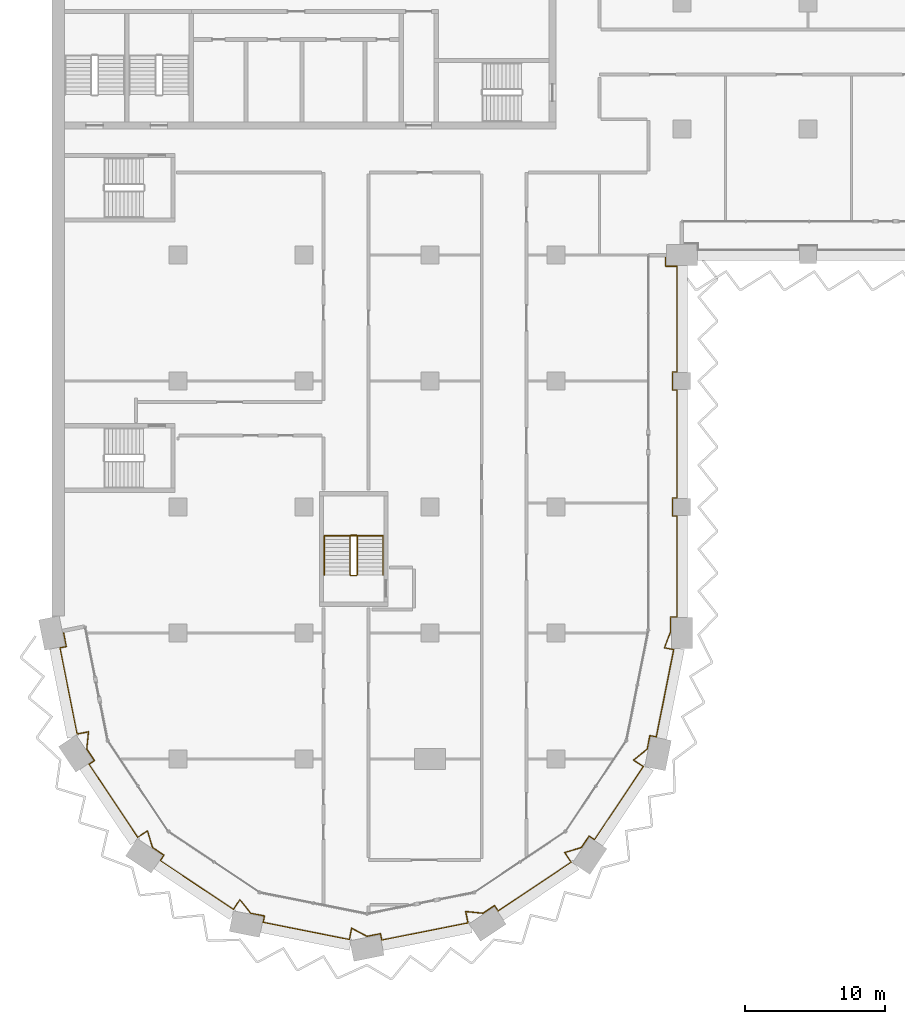
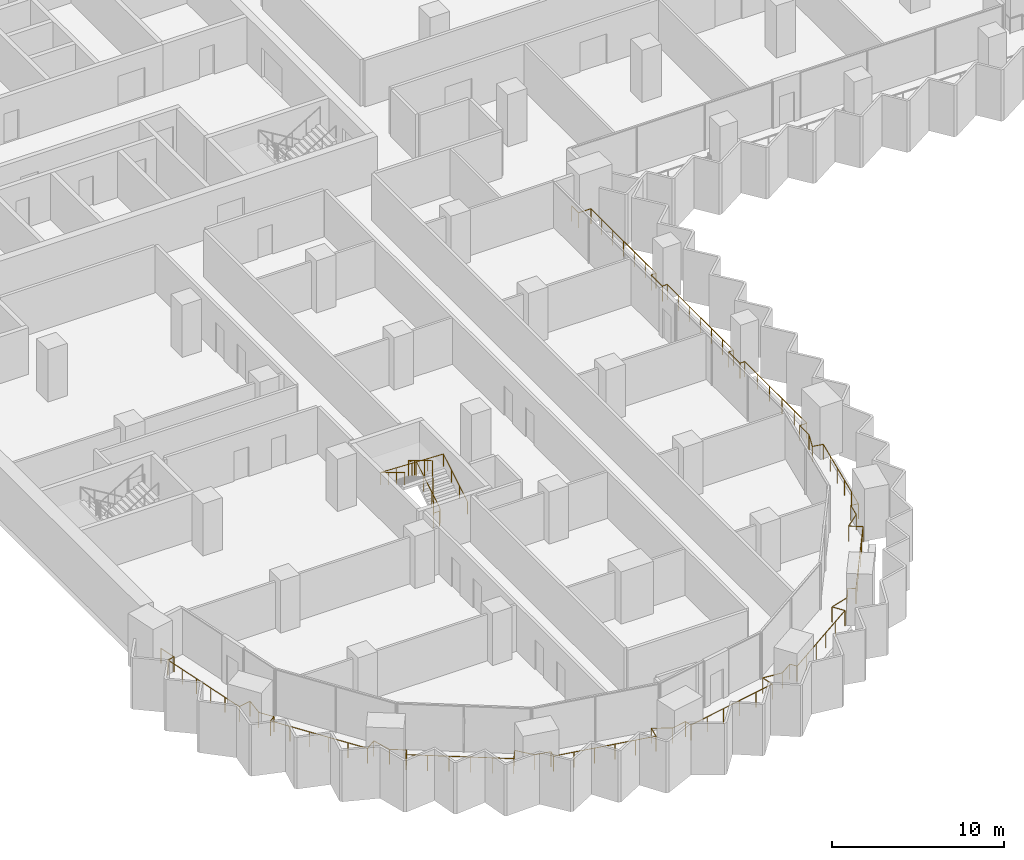
# One storey, part 19 of 22: 3 railings.
"""IFC4 building model written with IfcOpenShell, lengths in metres."""

from ifc_helpers import new_model, si_unit, direction, frame, origin, origin_2d, place, context, subcontext, project, spatial, circle, extrude, material, type_object, element, save


model = new_model("IFC4")

# Units and contexts
model_context = context("Model", 3, precision=1e-05, world=origin(), true_north=direction((0.0, 1.0)))
body_context = subcontext(model_context, "Body", "Model", "MODEL_VIEW")
ifc_project = project(units=[si_unit("LENGTHUNIT", "METRE"), si_unit("AREAUNIT", "SQUARE_METRE"), si_unit("VOLUMEUNIT", "CUBIC_METRE"), si_unit("PLANEANGLEUNIT", "RADIAN"), si_unit("MASSUNIT", "GRAM", prefix="KILO")], contexts=[model_context])

# Site, building, storey
site_placement = place(None, origin())
site = spatial("IfcSite", under=ifc_project, at=site_placement, CompositionType="ELEMENT")
building_placement = place(site_placement, origin())
building = spatial("IfcBuilding", under=site, at=building_placement, Name="Hunhe Ridgeline Campus", CompositionType="ELEMENT")
storey_placement = place(building_placement, frame((0.0, 0.0, 92.199951171875)))
storey = spatial("IfcBuildingStorey", under=building, at=storey_placement, Name="L22", CompositionType="ELEMENT", Elevation=92.199951171875)

# Railings
ifc_material_1 = material(Name="Steel Q355", Category="steel")
railing_type_1 = type_object("IfcRailingType", Name="Loggia guard 1100 Steel Q355", PredefinedType="GUARDRAIL", material=ifc_material_1)
railing_1_placement = place(storey_placement, frame((0.80419921875, 27.159912109375, 0.0)))
element("IfcRailing", 1, at=railing_1_placement, inside=storey, type_object=railing_type_1, Name="Loggia guard 1", PredefinedType="GUARDRAIL", context=body_context, shape_type="SweptSolid", body=[
    extrude(circle(Radius=0.02392578125, at=origin_2d()), frame((0.0, 0.0, 1.076171875), z_axis=(0.195095399255, -0.980784270464, 0.0), x_axis=(0.980784270464, 0.195095399255, 0.0)), (0.0, 0.0, 1.0), 1.150146484375),
    extrude(circle(Radius=0.02392578125, at=origin_2d()), frame((0.224365234375, -1.1279296875, 1.076171875), z_axis=(-0.980839571814, -0.194817181902, 0.0), x_axis=(0.194817181902, -0.980839571814, 0.0)), (0.0, 0.0, 1.0), 0.469970703125),
    extrude(circle(Radius=0.02392578125, at=origin_2d()), frame((-0.236572265625, -1.219482421875, 1.076171875), z_axis=(0.195091122585, -0.98078512116, 0.0), x_axis=(0.98078512116, 0.195091122585, 0.0)), (0.0, 0.0, 1.0), 6.27587890625),
    extrude(circle(Radius=0.02392578125, at=origin_2d()), frame((0.98779296875, -7.374755859375, 1.076171875), z_axis=(0.980805242724, 0.194989937807, 0.0), x_axis=(-0.194989937807, 0.980805242724, 0.0)), (0.0, 0.0, 1.0), 0.833984375),
    extrude(circle(Radius=0.02392578125, at=origin_2d()), frame((1.8056640625, -7.212158203125, 1.076171875), z_axis=(-0.10024174874, -0.994963110778, 0.0), x_axis=(0.994963110778, -0.10024174874, 0.0)), (0.0, 0.0, 1.0), 1.24462890625),
    extrude(circle(Radius=0.02392578125, at=origin_2d()), frame((1.680908203125, -8.450439453125, 1.076171875), z_axis=(0.555613261421, -0.831440860034, 0.0), x_axis=(0.831440860034, 0.555613261421, 0.0)), (0.0, 0.0, 1.0), 0.98681640625),
    extrude(circle(Radius=0.02392578125, at=origin_2d()), frame((2.229248046875, -9.27099609375, 1.076171875), z_axis=(-0.831650496226, -0.55529942565, 0.0), x_axis=(0.55529942565, -0.831650496226, 0.0)), (0.0, 0.0, 1.0), 0.469970703125),
    extrude(circle(Radius=0.02392578125, at=origin_2d()), frame((1.83837890625, -9.531982421875, 1.076171875), z_axis=(0.55555274607, -0.831481296443, 0.0), x_axis=(0.831481296443, 0.55555274607, 0.0)), (0.0, 0.0, 1.0), 6.27587890625),
    extrude(circle(Radius=0.02392578125, at=origin_2d()), frame((5.324951171875, -14.750244140625, 1.076171875), z_axis=(0.831419211319, 0.555645656016, 0.0), x_axis=(-0.555645656016, 0.831419211319, 0.0)), (0.0, 0.0, 1.0), 0.833984375),
    extrude(circle(Radius=0.02392578125, at=origin_2d()), frame((6.018310546875, -14.286865234375, 1.076171875), z_axis=(0.288373576958, -0.957517979002, 0.0), x_axis=(0.957517979002, 0.288373576958, 0.0)), (0.0, 0.0, 1.0), 1.24462890625),
    extrude(circle(Radius=0.02392578125, at=origin_2d()), frame((6.377197265625, -15.478515625, 1.076171875), z_axis=(0.831440860034, -0.555613261421, 0.0), x_axis=(0.555613261421, 0.831440860034, 0.0)), (0.0, 0.0, 1.0), 0.98681640625),
    extrude(circle(Radius=0.02392578125, at=origin_2d()), frame((7.19775390625, -16.02685546875, 1.076171875), z_axis=(-0.555658548717, -0.831410594856, 0.0), x_axis=(0.831410594856, -0.555658548717, 0.0)), (0.0, 0.0, 1.0), 0.47021484375),
    extrude(circle(Radius=0.02392578125, at=origin_2d()), frame((6.9365234375, -16.417724609375, 1.076171875), z_axis=(0.831469289337, -0.555570716372, 0.0), x_axis=(0.555570716372, 0.831469289337, 0.0)), (0.0, 0.0, 1.0), 6.275634765625),
    extrude(circle(Radius=0.02392578125, at=origin_2d()), frame((12.154541015625, -19.904296875, 1.076171875), z_axis=(0.555645656016, 0.831419211319, 0.0), x_axis=(-0.831419211319, 0.555645656016, 0.0)), (0.0, 0.0, 1.0), 0.833984375),
    extrude(circle(Radius=0.02392578125, at=origin_2d()), frame((12.617919921875, -19.2109375, 1.076171875), z_axis=(0.632628709191, -0.774455238414, 0.0), x_axis=(0.774455238414, 0.632628709191, 0.0)), (0.0, 0.0, 1.0), 1.24462890625),
    extrude(circle(Radius=0.02392578125, at=origin_2d()), frame((13.4052734375, -20.1748046875, 1.076171875), z_axis=(0.980770488785, -0.195164669773, 0.0), x_axis=(0.195164669773, 0.980770488785, 0.0)), (0.0, 0.0, 1.0), 0.987060546875),
    extrude(circle(Radius=0.02392578125, at=origin_2d()), frame((14.373291015625, -20.367431640625, 1.076171875), z_axis=(-0.195316901017, -0.980740183829, 0.0), x_axis=(0.980740183829, -0.195316901017, 0.0)), (0.0, 0.0, 1.0), 0.469970703125),
    extrude(circle(Radius=0.02392578125, at=origin_2d()), frame((14.281494140625, -20.828369140625, 1.076171875), z_axis=(0.98078512116, -0.195091122585, 0.0), x_axis=(0.195091122585, 0.98078512116, 0.0)), (0.0, 0.0, 1.0), 6.27587890625),
    extrude(circle(Radius=0.02392578125, at=origin_2d()), frame((20.436767578125, -22.052734375, 1.076171875), z_axis=(0.194989937807, 0.980805242724, 0.0), x_axis=(-0.980805242724, 0.194989937807, 0.0)), (0.0, 0.0, 1.0), 0.833984375),
    extrude(circle(Radius=0.02392578125, at=origin_2d()), frame((20.599365234375, -21.23486328125, 1.076171875), z_axis=(0.880980801229, -0.473152013486, 0.0), x_axis=(0.473152013486, 0.880980801229, 0.0)), (0.0, 0.0, 1.0), 1.24462890625),
    extrude(circle(Radius=0.02392578125, at=origin_2d()), frame((21.69580078125, -21.82373046875, 1.076171875), z_axis=(0.98081780924, 0.194926717196, 0.0), x_axis=(-0.194926717196, 0.98081780924, 0.0)), (0.0, 0.0, 1.0), 0.987060546875),
    extrude(circle(Radius=0.02392578125, at=origin_2d()), frame((22.663818359375, -21.63134765625, 1.076171875), z_axis=(0.194817181902, -0.980839571814, 0.0), x_axis=(0.980839571814, 0.194817181902, 0.0)), (0.0, 0.0, 1.0), 0.469970703125),
    extrude(circle(Radius=0.02392578125, at=origin_2d()), frame((22.75537109375, -22.09228515625, 1.076171875), z_axis=(0.98078512116, 0.195091122585, 0.0), x_axis=(-0.195091122585, 0.98078512116, 0.0)), (0.0, 0.0, 1.0), 6.27587890625),
    extrude(circle(Radius=0.02392578125, at=origin_2d()), frame((28.91064453125, -20.867919921875, 1.076171875), z_axis=(-0.194989937807, 0.980805242724, 0.0), x_axis=(-0.980805242724, -0.194989937807, 0.0)), (0.0, 0.0, 1.0), 0.833984375),
    extrude(circle(Radius=0.02392578125, at=origin_2d()), frame((28.748046875, -20.050048828125, 1.076171875), z_axis=(0.994963110778, -0.10024174874, 0.0), x_axis=(0.10024174874, 0.994963110778, 0.0)), (0.0, 0.0, 1.0), 1.24462890625),
    extrude(circle(Radius=0.02392578125, at=origin_2d()), frame((29.986328125, -20.1748046875, 1.076171875), z_axis=(0.831440860034, 0.555613261421, 0.0), x_axis=(-0.555613261421, 0.831440860034, 0.0)), (0.0, 0.0, 1.0), 0.98681640625),
    extrude(circle(Radius=0.02392578125, at=origin_2d()), frame((30.806884765625, -19.62646484375, 1.076171875), z_axis=(0.55529942565, -0.831650496226, 0.0), x_axis=(0.831650496226, 0.55529942565, 0.0)), (0.0, 0.0, 1.0), 0.469970703125),
    extrude(circle(Radius=0.02392578125, at=origin_2d()), frame((31.06787109375, -20.017333984375, 1.076171875), z_axis=(0.831481296443, 0.55555274607, 0.0), x_axis=(-0.55555274607, 0.831481296443, 0.0)), (0.0, 0.0, 1.0), 6.27587890625),
    extrude(circle(Radius=0.02392578125, at=origin_2d()), frame((36.2861328125, -16.53076171875, 1.076171875), z_axis=(-0.555645656016, 0.831419211319, 0.0), x_axis=(-0.831419211319, -0.555645656016, 0.0)), (0.0, 0.0, 1.0), 0.833984375),
    extrude(circle(Radius=0.02392578125, at=origin_2d()), frame((35.82275390625, -15.83740234375, 1.076171875), z_axis=(0.957517979002, 0.288373576958, 0.0), x_axis=(-0.288373576958, 0.957517979002, 0.0)), (0.0, 0.0, 1.0), 1.24462890625),
    extrude(circle(Radius=0.02392578125, at=origin_2d()), frame((37.014404296875, -15.478515625, 1.076171875), z_axis=(0.555613261421, 0.831440860034, 0.0), x_axis=(-0.831440860034, 0.555613261421, 0.0)), (0.0, 0.0, 1.0), 0.98681640625),
    extrude(circle(Radius=0.02392578125, at=origin_2d()), frame((37.562744140625, -14.657958984375, 1.076171875), z_axis=(0.831410594856, -0.555658548717, 0.0), x_axis=(0.555658548717, 0.831410594856, 0.0)), (0.0, 0.0, 1.0), 0.47021484375),
    extrude(circle(Radius=0.02392578125, at=origin_2d()), frame((37.95361328125, -14.919189453125, 1.076171875), z_axis=(0.555570716372, 0.831469289337, 0.0), x_axis=(-0.831469289337, 0.555570716372, 0.0)), (0.0, 0.0, 1.0), 6.275634765625),
    extrude(circle(Radius=0.02392578125, at=origin_2d()), frame((41.440185546875, -9.701171875, 1.076171875), z_axis=(-0.831419211319, 0.555645656016, 0.0), x_axis=(-0.555645656016, -0.831419211319, 0.0)), (0.0, 0.0, 1.0), 0.833984375),
    extrude(circle(Radius=0.02392578125, at=origin_2d()), frame((40.746826171875, -9.23779296875, 1.076171875), z_axis=(0.774455238414, 0.632628709191, 0.0), x_axis=(-0.632628709191, 0.774455238414, 0.0)), (0.0, 0.0, 1.0), 1.24462890625),
    extrude(circle(Radius=0.02392578125, at=origin_2d()), frame((41.710693359375, -8.450439453125, 1.076171875), z_axis=(0.195164669773, 0.980770488785, 0.0), x_axis=(-0.980770488785, 0.195164669773, 0.0)), (0.0, 0.0, 1.0), 0.987060546875),
    extrude(circle(Radius=0.02392578125, at=origin_2d()), frame((41.9033203125, -7.482421875, 1.076171875), z_axis=(0.980740183829, -0.195316901017, 0.0), x_axis=(0.195316901017, 0.980740183829, 0.0)), (0.0, 0.0, 1.0), 0.469970703125),
    extrude(circle(Radius=0.02392578125, at=origin_2d()), frame((42.3642578125, -7.57421875, 1.076171875), z_axis=(0.195074166836, 0.98078849373, 0.0), x_axis=(-0.98078849373, 0.195074166836, 0.0)), (0.0, 0.0, 1.0), 6.35400390625),
    extrude(circle(Radius=0.02392578125, at=origin_2d()), frame((43.603759765625, -1.34228515625, 1.076171875), z_axis=(-0.980818178173, 0.194924860818, 0.0), x_axis=(-0.194924860818, -0.980818178173, 0.0)), (0.0, 0.0, 1.0), 0.670166015625),
    extrude(circle(Radius=0.02392578125, at=origin_2d()), frame((42.946533203125, -1.211669921875, 1.076171875), z_axis=(0.354368618256, 0.935105813475, 0.0), x_axis=(-0.935105813475, 0.354368618256, 0.0)), (0.0, 0.0, 1.0), 1.211181640625),
    extrude(circle(Radius=0.02392578125, at=origin_2d()), frame((43.375732421875, -0.0791015625, 1.076171875), z_axis=(0.0, 1.0, 0.0), x_axis=(-1.0, 0.0, 0.0)), (0.0, 0.0, 1.0), 1.069091796875),
    extrude(circle(Radius=0.02392578125, at=origin_2d()), frame((43.375732421875, 0.989990234375, 1.076171875), z_axis=(1.0, 0.0, 0.0), x_axis=(0.0, 1.0, 0.0)), (0.0, 0.0, 1.0), 0.469970703125),
    extrude(circle(Radius=0.02392578125, at=origin_2d()), frame((43.845703125, 0.989990234375, 1.076171875), z_axis=(0.0, 1.0, 0.0), x_axis=(-1.0, 0.0, 0.0)), (0.0, 0.0, 1.0), 7.2001953125),
    extrude(circle(Radius=0.02392578125, at=origin_2d()), frame((43.845703125, 8.190185546875, 1.076171875), z_axis=(-1.0, 0.0, 0.0), x_axis=(0.0, -1.0, 0.0)), (0.0, 0.0, 1.0), 0.31982421875),
    extrude(circle(Radius=0.02392578125, at=origin_2d()), frame((43.52587890625, 8.190185546875, 1.076171875), z_axis=(0.0, 1.0, 0.0), x_axis=(-1.0, 0.0, 0.0)), (0.0, 0.0, 1.0), 1.2998046875),
    extrude(circle(Radius=0.02392578125, at=origin_2d()), frame((43.52587890625, 9.489990234375, 1.076171875), z_axis=(1.0, 0.0, 0.0), x_axis=(0.0, 1.0, 0.0)), (0.0, 0.0, 1.0), 0.31982421875),
    extrude(circle(Radius=0.02392578125, at=origin_2d()), frame((43.845703125, 9.489990234375, 1.076171875), z_axis=(0.0, 1.0, 0.0), x_axis=(-1.0, 0.0, 0.0)), (0.0, 0.0, 1.0), 7.7001953125),
    extrude(circle(Radius=0.02392578125, at=origin_2d()), frame((43.845703125, 17.190185546875, 1.076171875), z_axis=(-1.0, 0.0, 0.0), x_axis=(0.0, -1.0, 0.0)), (0.0, 0.0, 1.0), 0.31982421875),
    extrude(circle(Radius=0.02392578125, at=origin_2d()), frame((43.52587890625, 17.190185546875, 1.076171875), z_axis=(0.0, 1.0, 0.0), x_axis=(-1.0, 0.0, 0.0)), (0.0, 0.0, 1.0), 1.2998046875),
    extrude(circle(Radius=0.02392578125, at=origin_2d()), frame((43.52587890625, 18.489990234375, 1.076171875), z_axis=(1.0, 0.0, 0.0), x_axis=(0.0, 1.0, 0.0)), (0.0, 0.0, 1.0), 0.31982421875),
    extrude(circle(Radius=0.02392578125, at=origin_2d()), frame((43.845703125, 18.489990234375, 1.076171875), z_axis=(0.0, 1.0, 0.0), x_axis=(-1.0, 0.0, 0.0)), (0.0, 0.0, 1.0), 7.550048828125),
    extrude(circle(Radius=0.02392578125, at=origin_2d()), frame((43.845703125, 26.0400390625, 1.076171875), z_axis=(-1.0, 0.0, 0.0), x_axis=(0.0, -1.0, 0.0)), (0.0, 0.0, 1.0), 0.81982421875),
    extrude(circle(Radius=0.02392578125, at=origin_2d()), frame((43.02587890625, 26.0400390625, 1.076171875), z_axis=(0.0, 1.0, 0.0), x_axis=(-1.0, 0.0, 0.0)), (0.0, 0.0, 1.0), 0.800048828125),
    extrude(circle(Radius=0.02099609375, at=origin_2d()), origin(), (0.0, 0.0, 1.0), 1.052001953125),
    extrude(circle(Radius=0.02099609375, at=origin_2d()), frame((0.224365234375, -1.1279296875, 0.0)), (0.0, 0.0, 1.0), 1.052001953125),
    extrude(circle(Radius=0.02099609375, at=origin_2d()), frame((-0.236572265625, -1.219482421875, 0.0)), (0.0, 0.0, 1.0), 1.052001953125),
    extrude(circle(Radius=0.02099609375, at=origin_2d()), frame((0.00830078125, -2.450439453125, 0.0)), (0.0, 0.0, 1.0), 1.052001953125),
    extrude(circle(Radius=0.02099609375, at=origin_2d()), frame((0.253173828125, -3.681640625, 0.0)), (0.0, 0.0, 1.0), 1.052001953125),
    extrude(circle(Radius=0.02099609375, at=origin_2d()), frame((0.498046875, -4.91259765625, 0.0)), (0.0, 0.0, 1.0), 1.052001953125),
    extrude(circle(Radius=0.02099609375, at=origin_2d()), frame((0.742919921875, -6.143798828125, 0.0)), (0.0, 0.0, 1.0), 1.052001953125),
    extrude(circle(Radius=0.02099609375, at=origin_2d()), frame((0.98779296875, -7.374755859375, 0.0)), (0.0, 0.0, 1.0), 1.052001953125),
    extrude(circle(Radius=0.02099609375, at=origin_2d()), frame((1.8056640625, -7.212158203125, 0.0)), (0.0, 0.0, 1.0), 1.052001953125),
    extrude(circle(Radius=0.02099609375, at=origin_2d()), frame((1.680908203125, -8.450439453125, 0.0)), (0.0, 0.0, 1.0), 1.052001953125),
    extrude(circle(Radius=0.02099609375, at=origin_2d()), frame((2.229248046875, -9.27099609375, 0.0)), (0.0, 0.0, 1.0), 1.052001953125),
    extrude(circle(Radius=0.02099609375, at=origin_2d()), frame((1.83837890625, -9.531982421875, 0.0)), (0.0, 0.0, 1.0), 1.052001953125),
    extrude(circle(Radius=0.02099609375, at=origin_2d()), frame((2.53564453125, -10.57568359375, 0.0)), (0.0, 0.0, 1.0), 1.052001953125),
    extrude(circle(Radius=0.02099609375, at=origin_2d()), frame((3.23291015625, -11.619384765625, 0.0)), (0.0, 0.0, 1.0), 1.052001953125),
    extrude(circle(Radius=0.02099609375, at=origin_2d()), frame((3.930419921875, -12.662841796875, 0.0)), (0.0, 0.0, 1.0), 1.052001953125),
    extrude(circle(Radius=0.02099609375, at=origin_2d()), frame((4.627685546875, -13.70654296875, 0.0)), (0.0, 0.0, 1.0), 1.052001953125),
    extrude(circle(Radius=0.02099609375, at=origin_2d()), frame((5.324951171875, -14.750244140625, 0.0)), (0.0, 0.0, 1.0), 1.052001953125),
    extrude(circle(Radius=0.02099609375, at=origin_2d()), frame((6.018310546875, -14.286865234375, 0.0)), (0.0, 0.0, 1.0), 1.052001953125),
    extrude(circle(Radius=0.02099609375, at=origin_2d()), frame((6.377197265625, -15.478515625, 0.0)), (0.0, 0.0, 1.0), 1.052001953125),
    extrude(circle(Radius=0.02099609375, at=origin_2d()), frame((7.19775390625, -16.02685546875, 0.0)), (0.0, 0.0, 1.0), 1.052001953125),
    extrude(circle(Radius=0.02099609375, at=origin_2d()), frame((6.9365234375, -16.417724609375, 0.0)), (0.0, 0.0, 1.0), 1.052001953125),
    extrude(circle(Radius=0.02099609375, at=origin_2d()), frame((7.980224609375, -17.114990234375, 0.0)), (0.0, 0.0, 1.0), 1.052001953125),
    extrude(circle(Radius=0.02099609375, at=origin_2d()), frame((9.023681640625, -17.812255859375, 0.0)), (0.0, 0.0, 1.0), 1.052001953125),
    extrude(circle(Radius=0.02099609375, at=origin_2d()), frame((10.0673828125, -18.509765625, 0.0)), (0.0, 0.0, 1.0), 1.052001953125),
    extrude(circle(Radius=0.02099609375, at=origin_2d()), frame((11.11083984375, -19.20703125, 0.0)), (0.0, 0.0, 1.0), 1.052001953125),
    extrude(circle(Radius=0.02099609375, at=origin_2d()), frame((12.154541015625, -19.904296875, 0.0)), (0.0, 0.0, 1.0), 1.052001953125),
    extrude(circle(Radius=0.02099609375, at=origin_2d()), frame((12.617919921875, -19.2109375, 0.0)), (0.0, 0.0, 1.0), 1.052001953125),
    extrude(circle(Radius=0.02099609375, at=origin_2d()), frame((13.4052734375, -20.1748046875, 0.0)), (0.0, 0.0, 1.0), 1.052001953125),
    extrude(circle(Radius=0.02099609375, at=origin_2d()), frame((14.373291015625, -20.367431640625, 0.0)), (0.0, 0.0, 1.0), 1.052001953125),
    extrude(circle(Radius=0.02099609375, at=origin_2d()), frame((14.281494140625, -20.828369140625, 0.0)), (0.0, 0.0, 1.0), 1.052001953125),
    extrude(circle(Radius=0.02099609375, at=origin_2d()), frame((15.512451171875, -21.0732421875, 0.0)), (0.0, 0.0, 1.0), 1.052001953125),
    extrude(circle(Radius=0.02099609375, at=origin_2d()), frame((16.74365234375, -21.318115234375, 0.0)), (0.0, 0.0, 1.0), 1.052001953125),
    extrude(circle(Radius=0.02099609375, at=origin_2d()), frame((17.974609375, -21.56298828125, 0.0)), (0.0, 0.0, 1.0), 1.052001953125),
    extrude(circle(Radius=0.02099609375, at=origin_2d()), frame((19.205810546875, -21.807861328125, 0.0)), (0.0, 0.0, 1.0), 1.052001953125),
    extrude(circle(Radius=0.02099609375, at=origin_2d()), frame((20.436767578125, -22.052734375, 0.0)), (0.0, 0.0, 1.0), 1.052001953125),
    extrude(circle(Radius=0.02099609375, at=origin_2d()), frame((20.599365234375, -21.23486328125, 0.0)), (0.0, 0.0, 1.0), 1.052001953125),
    extrude(circle(Radius=0.02099609375, at=origin_2d()), frame((21.69580078125, -21.82373046875, 0.0)), (0.0, 0.0, 1.0), 1.052001953125),
    extrude(circle(Radius=0.02099609375, at=origin_2d()), frame((22.663818359375, -21.63134765625, 0.0)), (0.0, 0.0, 1.0), 1.052001953125),
    extrude(circle(Radius=0.02099609375, at=origin_2d()), frame((22.75537109375, -22.09228515625, 0.0)), (0.0, 0.0, 1.0), 1.052001953125),
    extrude(circle(Radius=0.02099609375, at=origin_2d()), frame((23.986328125, -21.847412109375, 0.0)), (0.0, 0.0, 1.0), 1.052001953125),
    extrude(circle(Radius=0.02099609375, at=origin_2d()), frame((25.217529296875, -21.6025390625, 0.0)), (0.0, 0.0, 1.0), 1.052001953125),
    extrude(circle(Radius=0.02099609375, at=origin_2d()), frame((26.448486328125, -21.357666015625, 0.0)), (0.0, 0.0, 1.0), 1.052001953125),
    extrude(circle(Radius=0.02099609375, at=origin_2d()), frame((27.6796875, -21.11279296875, 0.0)), (0.0, 0.0, 1.0), 1.052001953125),
    extrude(circle(Radius=0.02099609375, at=origin_2d()), frame((28.91064453125, -20.867919921875, 0.0)), (0.0, 0.0, 1.0), 1.052001953125),
    extrude(circle(Radius=0.02099609375, at=origin_2d()), frame((28.748046875, -20.050048828125, 0.0)), (0.0, 0.0, 1.0), 1.052001953125),
    extrude(circle(Radius=0.02099609375, at=origin_2d()), frame((29.986328125, -20.1748046875, 0.0)), (0.0, 0.0, 1.0), 1.052001953125),
    extrude(circle(Radius=0.02099609375, at=origin_2d()), frame((30.806884765625, -19.62646484375, 0.0)), (0.0, 0.0, 1.0), 1.052001953125),
    extrude(circle(Radius=0.02099609375, at=origin_2d()), frame((31.06787109375, -20.017333984375, 0.0)), (0.0, 0.0, 1.0), 1.052001953125),
    extrude(circle(Radius=0.02099609375, at=origin_2d()), frame((32.111572265625, -19.320068359375, 0.0)), (0.0, 0.0, 1.0), 1.052001953125),
    extrude(circle(Radius=0.02099609375, at=origin_2d()), frame((33.1552734375, -18.622802734375, 0.0)), (0.0, 0.0, 1.0), 1.052001953125),
    extrude(circle(Radius=0.02099609375, at=origin_2d()), frame((34.19873046875, -17.92529296875, 0.0)), (0.0, 0.0, 1.0), 1.052001953125),
    extrude(circle(Radius=0.02099609375, at=origin_2d()), frame((35.242431640625, -17.22802734375, 0.0)), (0.0, 0.0, 1.0), 1.052001953125),
    extrude(circle(Radius=0.02099609375, at=origin_2d()), frame((36.2861328125, -16.53076171875, 0.0)), (0.0, 0.0, 1.0), 1.052001953125),
    extrude(circle(Radius=0.02099609375, at=origin_2d()), frame((35.82275390625, -15.83740234375, 0.0)), (0.0, 0.0, 1.0), 1.052001953125),
    extrude(circle(Radius=0.02099609375, at=origin_2d()), frame((37.014404296875, -15.478515625, 0.0)), (0.0, 0.0, 1.0), 1.052001953125),
    extrude(circle(Radius=0.02099609375, at=origin_2d()), frame((37.562744140625, -14.657958984375, 0.0)), (0.0, 0.0, 1.0), 1.052001953125),
    extrude(circle(Radius=0.02099609375, at=origin_2d()), frame((37.95361328125, -14.919189453125, 0.0)), (0.0, 0.0, 1.0), 1.052001953125),
    extrude(circle(Radius=0.02099609375, at=origin_2d()), frame((38.65087890625, -13.87548828125, 0.0)), (0.0, 0.0, 1.0), 1.052001953125),
    extrude(circle(Radius=0.02099609375, at=origin_2d()), frame((39.34814453125, -12.83203125, 0.0)), (0.0, 0.0, 1.0), 1.052001953125),
    extrude(circle(Radius=0.02099609375, at=origin_2d()), frame((40.045654296875, -11.788330078125, 0.0)), (0.0, 0.0, 1.0), 1.052001953125),
    extrude(circle(Radius=0.02099609375, at=origin_2d()), frame((40.742919921875, -10.744873046875, 0.0)), (0.0, 0.0, 1.0), 1.052001953125),
    extrude(circle(Radius=0.02099609375, at=origin_2d()), frame((41.440185546875, -9.701171875, 0.0)), (0.0, 0.0, 1.0), 1.052001953125),
    extrude(circle(Radius=0.02099609375, at=origin_2d()), frame((40.746826171875, -9.23779296875, 0.0)), (0.0, 0.0, 1.0), 1.052001953125),
    extrude(circle(Radius=0.02099609375, at=origin_2d()), frame((41.710693359375, -8.450439453125, 0.0)), (0.0, 0.0, 1.0), 1.052001953125),
    extrude(circle(Radius=0.02099609375, at=origin_2d()), frame((41.9033203125, -7.482421875, 0.0)), (0.0, 0.0, 1.0), 1.052001953125),
    extrude(circle(Radius=0.02099609375, at=origin_2d()), frame((42.3642578125, -7.57421875, 0.0)), (0.0, 0.0, 1.0), 1.052001953125),
    extrude(circle(Radius=0.02099609375, at=origin_2d()), frame((42.612060546875, -6.327880859375, 0.0)), (0.0, 0.0, 1.0), 1.052001953125),
    extrude(circle(Radius=0.02099609375, at=origin_2d()), frame((42.860107421875, -5.08154296875, 0.0)), (0.0, 0.0, 1.0), 1.052001953125),
    extrude(circle(Radius=0.02099609375, at=origin_2d()), frame((43.10791015625, -3.8349609375, 0.0)), (0.0, 0.0, 1.0), 1.052001953125),
    extrude(circle(Radius=0.02099609375, at=origin_2d()), frame((43.35595703125, -2.588623046875, 0.0)), (0.0, 0.0, 1.0), 1.052001953125),
    extrude(circle(Radius=0.02099609375, at=origin_2d()), frame((43.603759765625, -1.34228515625, 0.0)), (0.0, 0.0, 1.0), 1.052001953125),
    extrude(circle(Radius=0.02099609375, at=origin_2d()), frame((42.946533203125, -1.211669921875, 0.0)), (0.0, 0.0, 1.0), 1.052001953125),
    extrude(circle(Radius=0.02099609375, at=origin_2d()), frame((43.375732421875, -0.0791015625, 0.0)), (0.0, 0.0, 1.0), 1.052001953125),
    extrude(circle(Radius=0.02099609375, at=origin_2d()), frame((43.375732421875, 0.989990234375, 0.0)), (0.0, 0.0, 1.0), 1.052001953125),
    extrude(circle(Radius=0.02099609375, at=origin_2d()), frame((43.845703125, 0.989990234375, 0.0)), (0.0, 0.0, 1.0), 1.052001953125),
    extrude(circle(Radius=0.02099609375, at=origin_2d()), frame((43.845703125, 2.429931640625, 0.0)), (0.0, 0.0, 1.0), 1.052001953125),
    extrude(circle(Radius=0.02099609375, at=origin_2d()), frame((43.845703125, 3.8701171875, 0.0)), (0.0, 0.0, 1.0), 1.052001953125),
    extrude(circle(Radius=0.02099609375, at=origin_2d()), frame((43.845703125, 5.31005859375, 0.0)), (0.0, 0.0, 1.0), 1.052001953125),
    extrude(circle(Radius=0.02099609375, at=origin_2d()), frame((43.845703125, 6.750244140625, 0.0)), (0.0, 0.0, 1.0), 1.052001953125),
    extrude(circle(Radius=0.02099609375, at=origin_2d()), frame((43.845703125, 8.190185546875, 0.0)), (0.0, 0.0, 1.0), 1.052001953125),
    extrude(circle(Radius=0.02099609375, at=origin_2d()), frame((43.52587890625, 8.190185546875, 0.0)), (0.0, 0.0, 1.0), 1.052001953125),
    extrude(circle(Radius=0.02099609375, at=origin_2d()), frame((43.52587890625, 9.489990234375, 0.0)), (0.0, 0.0, 1.0), 1.052001953125),
    extrude(circle(Radius=0.02099609375, at=origin_2d()), frame((43.845703125, 9.489990234375, 0.0)), (0.0, 0.0, 1.0), 1.052001953125),
    extrude(circle(Radius=0.02099609375, at=origin_2d()), frame((43.845703125, 10.7734375, 0.0)), (0.0, 0.0, 1.0), 1.052001953125),
    extrude(circle(Radius=0.02099609375, at=origin_2d()), frame((43.845703125, 12.056640625, 0.0)), (0.0, 0.0, 1.0), 1.052001953125),
    extrude(circle(Radius=0.02099609375, at=origin_2d()), frame((43.845703125, 13.340087890625, 0.0)), (0.0, 0.0, 1.0), 1.052001953125),
    extrude(circle(Radius=0.02099609375, at=origin_2d()), frame((43.845703125, 14.62353515625, 0.0)), (0.0, 0.0, 1.0), 1.052001953125),
    extrude(circle(Radius=0.02099609375, at=origin_2d()), frame((43.845703125, 15.90673828125, 0.0)), (0.0, 0.0, 1.0), 1.052001953125),
    extrude(circle(Radius=0.02099609375, at=origin_2d()), frame((43.845703125, 17.190185546875, 0.0)), (0.0, 0.0, 1.0), 1.052001953125),
    extrude(circle(Radius=0.02099609375, at=origin_2d()), frame((43.52587890625, 17.190185546875, 0.0)), (0.0, 0.0, 1.0), 1.052001953125),
    extrude(circle(Radius=0.02099609375, at=origin_2d()), frame((43.52587890625, 18.489990234375, 0.0)), (0.0, 0.0, 1.0), 1.052001953125),
    extrude(circle(Radius=0.02099609375, at=origin_2d()), frame((43.845703125, 18.489990234375, 0.0)), (0.0, 0.0, 1.0), 1.052001953125),
    extrude(circle(Radius=0.02099609375, at=origin_2d()), frame((43.845703125, 19.748291015625, 0.0)), (0.0, 0.0, 1.0), 1.052001953125),
    extrude(circle(Radius=0.02099609375, at=origin_2d()), frame((43.845703125, 21.006591796875, 0.0)), (0.0, 0.0, 1.0), 1.052001953125),
    extrude(circle(Radius=0.02099609375, at=origin_2d()), frame((43.845703125, 22.26513671875, 0.0)), (0.0, 0.0, 1.0), 1.052001953125),
    extrude(circle(Radius=0.02099609375, at=origin_2d()), frame((43.845703125, 23.5234375, 0.0)), (0.0, 0.0, 1.0), 1.052001953125),
    extrude(circle(Radius=0.02099609375, at=origin_2d()), frame((43.845703125, 24.78173828125, 0.0)), (0.0, 0.0, 1.0), 1.052001953125),
    extrude(circle(Radius=0.02099609375, at=origin_2d()), frame((43.845703125, 26.0400390625, 0.0)), (0.0, 0.0, 1.0), 1.052001953125),
    extrude(circle(Radius=0.02099609375, at=origin_2d()), frame((43.02587890625, 26.0400390625, 0.0)), (0.0, 0.0, 1.0), 1.052001953125),
    extrude(circle(Radius=0.02099609375, at=origin_2d()), frame((43.02587890625, 26.840087890625, 0.0)), (0.0, 0.0, 1.0), 1.052001953125),
])
ifc_material_2 = material(Name="Stainless steel balustrade", Category="steel")
railing_type_2 = type_object("IfcRailingType", Name="Stair guard 1100 stainless", PredefinedType="GUARDRAIL", material=ifc_material_2)
railing_2_placement = place(storey_placement, frame((21.800048828125, 31.14990234375, 0.168212890625)))
element("IfcRailing", 2, at=railing_2_placement, inside=storey, type_object=railing_type_2, Name="L22 stair W3 guard", PredefinedType="GUARDRAIL", context=body_context, shape_type="SweptSolid", body=[
    extrude(circle(Radius=0.02392578125, at=origin_2d()), frame((0.0, 0.0, 1.076171875), z_axis=(0.0, 0.857242210791, 0.514913383045), x_axis=(-1.0, 0.0, 0.0)), (0.0, 0.0, 1.0), 3.266357421875),
    extrude(circle(Radius=0.02392578125, at=origin_2d()), frame((0.0, 2.800048828125, 2.7578125), z_axis=(-0.707106781187, 0.707106781187, 0.0), x_axis=(-0.707106781187, -0.707106781187, 0.0)), (0.0, 0.0, 1.0), 0.07080078125),
    extrude(circle(Radius=0.02392578125, at=origin_2d()), frame((-0.050048828125, 2.85009765625, 2.7578125), z_axis=(-1.0, 0.0, 0.0), x_axis=(0.0, -1.0, 0.0)), (0.0, 0.0, 1.0), 0.39990234375),
    extrude(circle(Radius=0.02392578125, at=origin_2d()), frame((-0.449951171875, 2.85009765625, 2.7578125), z_axis=(-0.274243871929, -0.274243871929, 0.92172696468), x_axis=(0.707106781187, -0.707106781187, 0.0)), (0.0, 0.0, 1.0), 0.1826171875),
    extrude(circle(Radius=0.02392578125, at=origin_2d()), frame((-0.5, 2.800048828125, 2.92626953125), z_axis=(0.0, -0.857275202839, 0.514858452973), x_axis=(1.0, 0.0, 0.0)), (0.0, 0.0, 1.0), 3.26611328125),
    extrude(circle(Radius=0.02392578125, at=origin_2d()), frame((-0.5, 0.0, 4.60791015625), z_axis=(0.013524426427, -0.013458453615, -0.999817963389), x_axis=(0.705375805398, 0.708833529934, 0.0)), (0.0, 0.0, 1.0), 3.70068359375),
    extrude(circle(Radius=0.02392578125, at=origin_2d()), frame((-0.449951171875, -0.0498046875, 0.90771484375), z_axis=(1.0, 0.0, 0.0), x_axis=(0.0, 1.0, 0.0)), (0.0, 0.0, 1.0), 0.39990234375),
    extrude(circle(Radius=0.02099609375, at=origin_2d()), origin(), (0.0, 0.0, 1.0), 1.052001953125),
    extrude(circle(Radius=0.02099609375, at=origin_2d()), frame((0.0, 0.933349609375, 0.560546875)), (0.0, 0.0, 1.0), 1.052001953125),
    extrude(circle(Radius=0.02099609375, at=origin_2d()), frame((0.0, 1.86669921875, 1.121337890625)), (0.0, 0.0, 1.0), 1.052001953125),
    extrude(circle(Radius=0.02099609375, at=origin_2d()), frame((0.0, 2.800048828125, 1.681884765625)), (0.0, 0.0, 1.0), 1.052001953125),
    extrude(circle(Radius=0.02099609375, at=origin_2d()), frame((-0.050048828125, 2.85009765625, 1.681884765625)), (0.0, 0.0, 1.0), 1.052001953125),
    extrude(circle(Radius=0.02099609375, at=origin_2d()), frame((-0.449951171875, 2.85009765625, 1.681884765625)), (0.0, 0.0, 1.0), 1.052001953125),
    extrude(circle(Radius=0.02099609375, at=origin_2d()), frame((-0.5, 2.800048828125, 1.85009765625)), (0.0, 0.0, 1.0), 1.052001953125),
    extrude(circle(Radius=0.02099609375, at=origin_2d()), frame((-0.5, 1.86669921875, 2.41064453125)), (0.0, 0.0, 1.0), 1.052001953125),
    extrude(circle(Radius=0.02099609375, at=origin_2d()), frame((-0.5, 0.933349609375, 2.97119140625)), (0.0, 0.0, 1.0), 1.052001953125),
    extrude(circle(Radius=0.02099609375, at=origin_2d()), frame((-0.5, 0.0, 3.53173828125)), (0.0, 0.0, 1.0), 1.052001953125),
    extrude(circle(Radius=0.02099609375, at=origin_2d()), frame((-0.487548828125, -0.012451171875, 2.606689453125)), (0.0, 0.0, 1.0), 1.052001953125),
    extrude(circle(Radius=0.02099609375, at=origin_2d()), frame((-0.47509765625, -0.02490234375, 1.681640625)), (0.0, 0.0, 1.0), 1.052001953125),
    extrude(circle(Radius=0.02099609375, at=origin_2d()), frame((-0.46240234375, -0.037353515625, 0.7568359375)), (0.0, 0.0, 1.0), 1.052001953125),
    extrude(circle(Radius=0.02099609375, at=origin_2d()), frame((-0.449951171875, -0.0498046875, -0.168212890625)), (0.0, 0.0, 1.0), 1.052001953125),
    extrude(circle(Radius=0.02099609375, at=origin_2d()), frame((-0.050048828125, -0.0498046875, -0.168212890625)), (0.0, 0.0, 1.0), 1.052001953125),
])
ifc_material_3 = material(Name="Stainless steel handrail", Category="steel")
railing_type_3 = type_object("IfcRailingType", Name="Stair handrail 900 stainless", PredefinedType="HANDRAIL", material=ifc_material_3)
railing_3_placement = place(storey_placement, frame((23.64990234375, 31.14990234375, 0.168212890625)))
element("IfcRailing", 3, at=railing_3_placement, inside=storey, type_object=railing_type_3, Name="L22 stair W3 handrail", PredefinedType="HANDRAIL", context=body_context, shape_type="SweptSolid", body=[
    extrude(circle(Radius=0.02392578125, at=origin_2d()), frame((0.0, 0.0, 0.8759765625), z_axis=(0.0, 0.857242210791, 0.514913383045), x_axis=(-1.0, 0.0, 0.0)), (0.0, 0.0, 1.0), 3.266357421875),
    extrude(circle(Radius=0.02392578125, at=origin_2d()), frame((0.0, 2.800048828125, 2.5576171875), z_axis=(-0.999198916169, 0.0, 0.040019069537), x_axis=(0.0, -1.0, 0.0)), (0.0, 0.0, 1.0), 4.203369140625),
    extrude(circle(Radius=0.02392578125, at=origin_2d()), frame((-4.199951171875, 2.800048828125, 2.72607421875), z_axis=(0.0, -0.857275202839, 0.514858452973), x_axis=(1.0, 0.0, 0.0)), (0.0, 0.0, 1.0), 3.26611328125),
    extrude(circle(Radius=0.02099609375, at=origin_2d()), origin(), (0.0, 0.0, 1.0), 0.851806640625),
    extrude(circle(Radius=0.02099609375, at=origin_2d()), frame((0.0, 0.933349609375, 0.560546875)), (0.0, 0.0, 1.0), 0.851806640625),
    extrude(circle(Radius=0.02099609375, at=origin_2d()), frame((0.0, 1.86669921875, 1.121337890625)), (0.0, 0.0, 1.0), 0.851806640625),
    extrude(circle(Radius=0.02099609375, at=origin_2d()), frame((0.0, 2.800048828125, 1.681884765625)), (0.0, 0.0, 1.0), 0.851806640625),
    extrude(circle(Radius=0.02099609375, at=origin_2d()), frame((-1.050048828125, 2.800048828125, 1.723876953125)), (0.0, 0.0, 1.0), 0.851806640625),
    extrude(circle(Radius=0.02099609375, at=origin_2d()), frame((-2.10009765625, 2.800048828125, 1.76611328125)), (0.0, 0.0, 1.0), 0.851806640625),
    extrude(circle(Radius=0.02099609375, at=origin_2d()), frame((-3.14990234375, 2.800048828125, 1.80810546875)), (0.0, 0.0, 1.0), 0.851806640625),
    extrude(circle(Radius=0.02099609375, at=origin_2d()), frame((-4.199951171875, 2.800048828125, 1.85009765625)), (0.0, 0.0, 1.0), 0.851806640625),
    extrude(circle(Radius=0.02099609375, at=origin_2d()), frame((-4.199951171875, 1.86669921875, 2.41064453125)), (0.0, 0.0, 1.0), 0.851806640625),
    extrude(circle(Radius=0.02099609375, at=origin_2d()), frame((-4.199951171875, 0.933349609375, 2.97119140625)), (0.0, 0.0, 1.0), 0.851806640625),
    extrude(circle(Radius=0.02099609375, at=origin_2d()), frame((-4.199951171875, 0.0, 3.53173828125)), (0.0, 0.0, 1.0), 0.851806640625),
])

save(model, "model.ifc")
